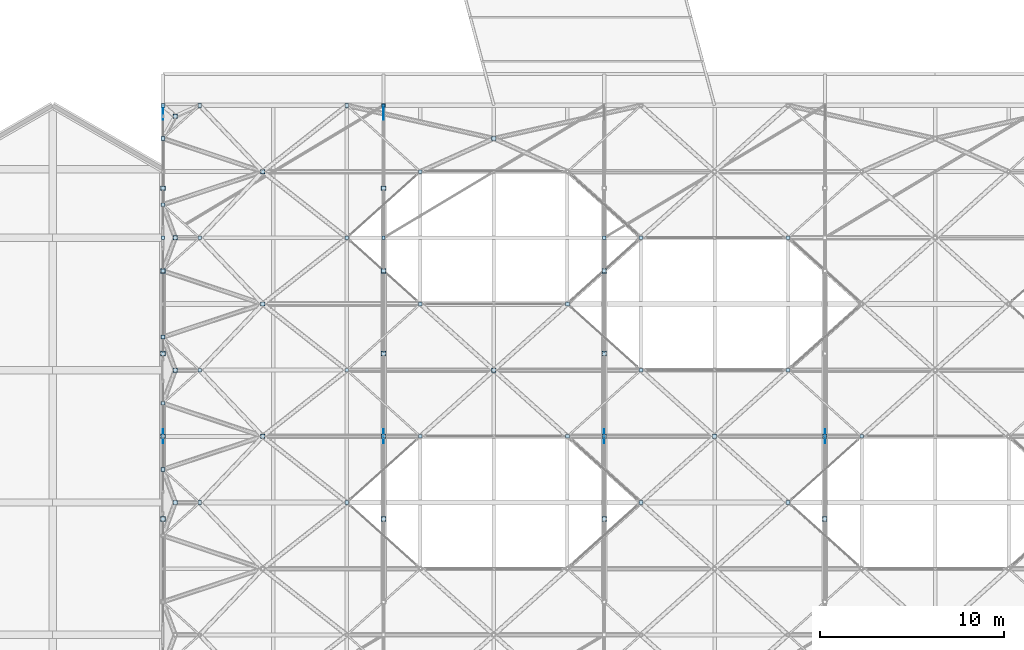
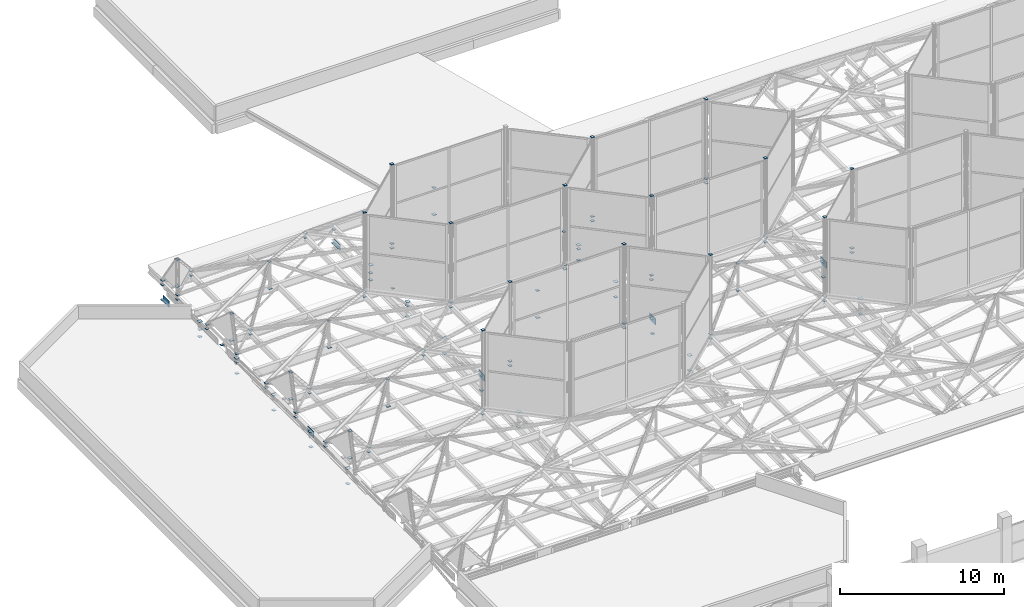
# One storey, part 221 of 239: 136 plates.
"""IFC4 building model written with IfcOpenShell, lengths in metres."""

from ifc_helpers import new_model, si_unit, direction, frame, origin, origin_2d, place, context, subcontext, project, spatial, rectangle, extrude, material, layer, layer_set, type_object, element, save


model = new_model("IFC4")

# Units and contexts
model_context = context("Model", 3, precision=1e-05, world=origin(), true_north=direction((0.0, 1.0)))
body_context = subcontext(model_context, "Body", "Model", "MODEL_VIEW")
ifc_project = project(units=[si_unit("LENGTHUNIT", "METRE"), si_unit("AREAUNIT", "SQUARE_METRE"), si_unit("VOLUMEUNIT", "CUBIC_METRE"), si_unit("PLANEANGLEUNIT", "RADIAN"), si_unit("MASSUNIT", "GRAM", prefix="KILO")], contexts=[model_context])

# Site, building, storey
site_placement = place(None, origin())
site = spatial("IfcSite", under=ifc_project, at=site_placement, CompositionType="ELEMENT")
building_placement = place(site_placement, origin())
building = spatial("IfcBuilding", under=site, at=building_placement, Name="Dunvalen Ferry Terminal", CompositionType="ELEMENT")
storey_placement = place(building_placement, frame((0.0, 0.0, 9.840087890625)))
storey = spatial("IfcBuildingStorey", under=building, at=storey_placement, Name="L02", CompositionType="ELEMENT", Elevation=9.840087890625)

# Plates
ifc_material = material(Name="Steel S355", Category="steel")
ifc_layer_1 = layer(ifc_material, 0.02001953125, Name="Steel S355")
ifc_layer_set_1 = layer_set([ifc_layer_1], Name="Steel S355")
plate_type_1 = type_object("IfcPlateType", Name="STR-PL-GUSSET-01", PredefinedType="USERDEFINED", material=ifc_layer_set_1)
for number, where, z_axis, x_axis, name in (
    (1, (12.0, 63.89990234375, 0.760009765625), (0.0, 0.0, 1.0), (1.0, 0.0, 0.0), "Departure Hall Spandrel Strut Cap Plate 01.3"),
    (2, (12.0, 68.39990234375, 0.760009765625), (0.0, 0.0, 1.0), (1.0, 0.0, 0.0), "Departure Hall Spandrel Strut Cap Plate 01.4"),
    (3, (12.0, 72.89990234375, 0.760009765625), (0.0, 0.0, 1.0), (1.0, 0.0, 0.0), "Departure Hall Spandrel Strut Cap Plate 01.5"),
    (4, (12.0, 77.39990234375, 0.760009765625), (0.0, 0.0, 1.0), (1.0, 0.0, 0.0), "Departure Hall Spandrel Strut Cap Plate 01.6"),
    (5, (12.0, 81.89990234375, 0.760009765625), (0.0, 0.0, 1.0), (1.0, 0.0, 0.0), "Departure Hall Spandrel Strut Cap Plate 01.7"),
    (6, (24.0, 63.89990234375, 0.760009765625), (0.0, 0.0, 1.0), (1.0, 0.0, 0.0), "Departure Hall Spandrel Strut Cap Plate 02.3"),
    (7, (24.0, 68.39990234375, 0.760009765625), (0.0, 0.0, 1.0), (1.0, 0.0, 0.0), "Departure Hall Spandrel Strut Cap Plate 02.4"),
    (8, (24.0, 72.89990234375, 0.760009765625), (0.0, 0.0, 1.0), (1.0, 0.0, 0.0), "Departure Hall Spandrel Strut Cap Plate 02.5"),
    (9, (24.0, 77.39990234375, 0.760009765625), (0.0, 0.0, 1.0), (1.0, 0.0, 0.0), "Departure Hall Spandrel Strut Cap Plate 02.6"),
    (10, (24.0, 81.89990234375, 0.760009765625), (0.0, 0.0, 1.0), (1.0, 0.0, 0.0), "Departure Hall Spandrel Strut Cap Plate 02.7"),
    (11, (36.0, 63.89990234375, 0.760009765625), (0.0, 0.0, 1.0), (1.0, 0.0, 0.0), "Departure Hall Spandrel Strut Cap Plate 03.3"),
    (12, (36.0, 68.39990234375, 0.760009765625), (0.0, 0.0, 1.0), (1.0, 0.0, 0.0), "Departure Hall Spandrel Strut Cap Plate 03.4"),
    (13, (36.0, 72.89990234375, 0.760009765625), (0.0, 0.0, 1.0), (1.0, 0.0, 0.0), "Departure Hall Spandrel Strut Cap Plate 03.5"),
    (14, (36.0, 77.39990234375, 0.760009765625), (0.0, 0.0, 1.0), (1.0, 0.0, 0.0), "Departure Hall Spandrel Strut Cap Plate 03.6"),
    (15, (48.0, 63.89990234375, 0.760009765625), (0.0, 0.0, 1.0), (1.0, 0.0, 0.0), "Departure Hall Spandrel Strut Cap Plate 04.3"),
    (16, (48.0, 68.39990234375, 0.760009765625), (0.0, 0.0, 1.0), (1.0, 0.0, 0.0), "Departure Hall Spandrel Strut Cap Plate 04.4"),
):
    element("IfcPlate", number, at=place(storey_placement, frame(where, z_axis=z_axis, x_axis=x_axis)), inside=storey, type_object=plate_type_1, Name=name, ObjectType="GUSSET PLATE", PredefinedType="USERDEFINED", context=body_context, shape_type="SweptSolid", body=[
        extrude(rectangle(XDim=0.260009765625, YDim=0.260009765625, at=origin_2d()), origin(), (0.0, 0.0, 1.0), 0.02001953125),
    ])
for number, where, z_axis, x_axis, name in (
    (17, (12.0, 79.199951171875, 0.64990234375), (0.0, 0.0, 1.0), (1.0, 0.0, 0.0), "Departure Hall Wind Brace End Cap Plate 1.79.1"),
    (18, (24.0, 86.39990234375, 0.64990234375), (0.0, 0.0, 1.0), (1.0, 0.0, 0.0), "Departure Hall Wind Brace End Cap Plate 1.79.2"),
    (19, (24.0, 79.199951171875, 0.64990234375), (0.0, 0.0, 1.0), (1.0, 0.0, 0.0), "Departure Hall Wind Brace End Cap Plate 2.79.1"),
    (20, (36.0, 79.199951171875, 0.64990234375), (0.0, 0.0, 1.0), (1.0, 0.0, 0.0), "Departure Hall Wind Brace End Cap Plate 3.79.1"),
):
    element("IfcPlate", number, at=place(storey_placement, frame(where, z_axis=z_axis, x_axis=x_axis)), inside=storey, type_object=plate_type_1, Name=name, ObjectType="GUSSET PLATE", PredefinedType="USERDEFINED", context=body_context, shape_type="SweptSolid", body=[
        extrude(rectangle(XDim=0.179931640625, YDim=0.179931640625, at=origin_2d()), origin(), (0.0, 0.0, 1.0), 0.02001953125),
    ])
for number, where, z_axis, x_axis, name in (
    (21, (12.666748046875, 64.800048828125, 0.760009765625), (0.0, 0.0, 1.0), (1.0, 0.0, 0.0), "HEX-03 Pyramid Apex Strut Base Cap Plate"),
    (22, (12.666748046875, 72.0, 0.760009765625), (0.0, 0.0, 1.0), (1.0, 0.0, 0.0), "HEX-04 Pyramid Apex Strut Base Cap Plate"),
    (23, (12.666748046875, 79.199951171875, 0.760009765625), (0.0, 0.0, 1.0), (1.0, 0.0, 0.0), "HEX-05 Pyramid Apex Strut Base Cap Plate"),
    (24, (12.666748046875, 85.800048828125, 0.760009765625), (0.0, 0.0, 1.0), (1.0, 0.0, 0.0), "HEX-06 Pyramid Apex Strut Base Cap Plate"),
    (25, (17.4287109375, 68.39990234375, 0.760009765625), (0.0, 0.0, 1.0), (1.0, 0.0, 0.0), "HEX-09 Pyramid Apex Strut Base Cap Plate"),
    (26, (17.4287109375, 75.60009765625, 0.760009765625), (0.0, 0.0, 1.0), (1.0, 0.0, 0.0), "HEX-10 Pyramid Apex Strut Base Cap Plate"),
    (27, (17.4287109375, 82.800048828125, 0.760009765625), (0.0, 0.0, 1.0), (1.0, 0.0, 0.0), "HEX-11 Pyramid Apex Strut Base Cap Plate"),
    (28, (30.0, 72.0, 0.760009765625), (0.0, 0.0, 1.0), (1.0, 0.0, 0.0), "HEX-15 Pyramid Apex Strut Base Cap Plate"),
    (29, (30.0, 84.60009765625, 0.760009765625), (0.0, 0.0, 1.0), (1.0, 0.0, 0.0), "HEX-17 Pyramid Apex Strut Base Cap Plate"),
    (30, (42.0, 68.39990234375, 0.760009765625), (0.0, 0.0, 1.0), (1.0, 0.0, 0.0), "HEX-20 Pyramid Apex Strut Base Cap Plate"),
):
    element("IfcPlate", number, at=place(storey_placement, frame(where, z_axis=z_axis, x_axis=x_axis)), inside=storey, type_object=plate_type_1, Name=name, ObjectType="GUSSET PLATE", PredefinedType="USERDEFINED", context=body_context, shape_type="SweptSolid", body=[
        extrude(rectangle(XDim=0.239990234375, YDim=0.239990234375, at=origin_2d()), origin(), (0.0, 0.0, 1.0), 0.02001953125),
    ])
for number, where, z_axis, x_axis, name in (
    (31, (12.0, 72.89990234375, -0.3701171875), (0.0, 0.0, 1.0), (1.0, 0.0, 0.0), "L02 Brace-Strut End Cleat Plate 007"),
    (32, (12.0, 77.39990234375, 0.46484375), (0.0, 0.0, 1.0), (1.0, 0.0, 0.0), "L02 Brace-Strut End Cleat Plate 009"),
    (33, (12.0, 81.89990234375, 0.15869140625), (0.0, 0.0, 1.0), (1.0, 0.0, 0.0), "L02 Brace-Strut End Cleat Plate 011"),
    (34, (12.0, 68.39990234375, -0.3701171875), (0.0, 0.0, 1.0), (1.0, 0.0, 0.0), "L02 Brace-Strut End Cleat Plate 013"),
    (35, (24.0, 63.89990234375, -0.3701171875), (0.0, 0.0, 1.0), (1.0, 0.0, 0.0), "L02 Brace-Strut End Cleat Plate 019"),
    (36, (24.0, 77.39990234375, -0.3701171875), (0.0, 0.0, 1.0), (1.0, 0.0, 0.0), "L02 Brace-Strut End Cleat Plate 021"),
    (37, (24.0, 81.89990234375, -0.3701171875), (0.0, 0.0, 1.0), (1.0, 0.0, 0.0), "L02 Brace-Strut End Cleat Plate 023"),
    (38, (24.0, 86.39990234375, -0.3701171875), (0.0, 0.0, 1.0), (1.0, 0.0, 0.0), "L02 Brace-Strut End Cleat Plate 025"),
    (39, (36.0, 72.89990234375, -0.3701171875), (0.0, 0.0, 1.0), (1.0, 0.0, 0.0), "L02 Brace-Strut End Cleat Plate 033"),
    (40, (36.0, 77.39990234375, 0.46484375), (0.0, 0.0, 1.0), (1.0, 0.0, 0.0), "L02 Brace-Strut End Cleat Plate 035"),
    (41, (36.0, 68.39990234375, -0.3701171875), (0.0, 0.0, 1.0), (1.0, 0.0, 0.0), "L02 Brace-Strut End Cleat Plate 039"),
    (42, (48.0, 63.89990234375, -0.3701171875), (0.0, 0.0, 1.0), (1.0, 0.0, 0.0), "L02 Brace-Strut End Cleat Plate 045"),
    (43, (12.666748046875, 64.800048828125, 2.7548828125), (0.0, 0.0, 1.0), (1.0, 0.0, 0.0), "L02 Brace-Strut End Cleat Plate 163"),
    (44, (14.0, 64.800048828125, 1.08984375), (0.0, 0.0, 1.0), (1.0, 0.0, 0.0), "L02 Brace-Strut End Cleat Plate 167"),
    (45, (12.0, 66.60009765625, 1.08984375), (0.0, 0.0, 1.0), (1.0, 0.0, 0.0), "L02 Brace-Strut End Cleat Plate 169"),
    (46, (12.0, 70.199951171875, 0.760009765625), (0.0, 0.0, 1.0), (1.0, 0.0, 0.0), "L02 Brace-Strut End Cleat Plate 171"),
    (47, (14.0, 72.0, 0.760009765625), (0.0, 0.0, 1.0), (1.0, 0.0, 0.0), "L02 Brace-Strut End Cleat Plate 173"),
    (48, (12.0, 73.800048828125, 0.760009765625), (0.0, 0.0, 1.0), (1.0, 0.0, 0.0), "L02 Brace-Strut End Cleat Plate 175"),
    (49, (12.666748046875, 79.199951171875, 2.7548828125), (0.0, 0.0, 1.0), (1.0, 0.0, 0.0), "L02 Brace-Strut End Cleat Plate 177"),
    (50, (14.0, 79.199951171875, 0.760009765625), (0.0, 0.0, 1.0), (1.0, 0.0, 0.0), "L02 Brace-Strut End Cleat Plate 179"),
    (51, (12.0, 81.0, 0.760009765625), (0.0, 0.0, 1.0), (1.0, 0.0, 0.0), "L02 Brace-Strut End Cleat Plate 181"),
    (52, (12.666748046875, 85.800048828125, 2.7548828125), (0.0, 0.0, 1.0), (1.0, 0.0, 0.0), "L02 Brace-Strut End Cleat Plate 183"),
    (53, (12.0, 86.39990234375, 1.08984375), (0.0, 0.0, 1.0), (1.0, 0.0, 0.0), "L02 Brace-Strut End Cleat Plate 185"),
    (54, (12.0, 84.60009765625, 1.08984375), (0.0, 0.0, 1.0), (1.0, 0.0, 0.0), "L02 Brace-Strut End Cleat Plate 187"),
    (55, (14.0, 86.39990234375, 1.08984375), (0.0, 0.0, 1.0), (1.0, 0.0, 0.0), "L02 Brace-Strut End Cleat Plate 189"),
    (56, (22.0, 64.800048828125, 1.08984375), (0.0, 0.0, 1.0), (1.0, 0.0, 0.0), "L02 Brace-Strut End Cleat Plate 201"),
    (57, (26.0, 68.39990234375, 0.760009765625), (0.0, 0.0, 1.0), (1.0, 0.0, 0.0), "L02 Brace-Strut End Cleat Plate 203"),
    (58, (22.0, 72.0, 0.760009765625), (0.0, 0.0, 1.0), (1.0, 0.0, 0.0), "L02 Brace-Strut End Cleat Plate 205"),
    (59, (17.4287109375, 75.60009765625, 2.7548828125), (0.0, 0.0, 1.0), (1.0, 0.0, 0.0), "L02 Brace-Strut End Cleat Plate 207"),
    (60, (26.0, 75.60009765625, 1.08984375), (0.0, 0.0, 1.0), (1.0, 0.0, 0.0), "L02 Brace-Strut End Cleat Plate 209"),
    (61, (22.0, 79.199951171875, 1.08984375), (0.0, 0.0, 1.0), (1.0, 0.0, 0.0), "L02 Brace-Strut End Cleat Plate 211"),
    (62, (26.0, 82.800048828125, 0.760009765625), (0.0, 0.0, 1.0), (1.0, 0.0, 0.0), "L02 Brace-Strut End Cleat Plate 213"),
    (63, (22.0, 86.39990234375, 0.760009765625), (0.0, 0.0, 1.0), (1.0, 0.0, 0.0), "L02 Brace-Strut End Cleat Plate 215"),
    (64, (22.0, 64.800048828125, 6.989990234375), (0.0, 0.0, 1.0), (1.0, 0.0, 0.0), "L02 Brace-Strut End Cleat Plate 227"),
    (65, (38.0, 64.800048828125, 6.989990234375), (0.0, 0.0, 1.0), (1.0, 0.0, 0.0), "L02 Brace-Strut End Cleat Plate 231"),
    (66, (34.0, 68.39990234375, 6.989990234375), (0.0, 0.0, 1.0), (1.0, 0.0, 0.0), "L02 Brace-Strut End Cleat Plate 233"),
    (67, (30.0, 72.0, 2.7548828125), (0.0, 0.0, 1.0), (1.0, 0.0, 0.0), "L02 Brace-Strut End Cleat Plate 235"),
    (68, (38.0, 72.0, 0.760009765625), (0.0, 0.0, 1.0), (1.0, 0.0, 0.0), "L02 Brace-Strut End Cleat Plate 237"),
    (69, (34.0, 75.60009765625, 0.760009765625), (0.0, 0.0, 1.0), (1.0, 0.0, 0.0), "L02 Brace-Strut End Cleat Plate 239"),
    (70, (22.0, 79.199951171875, 6.989990234375), (0.0, 0.0, 1.0), (1.0, 0.0, 0.0), "L02 Brace-Strut End Cleat Plate 241"),
    (71, (34.0, 75.60009765625, 6.989990234375), (0.0, 0.0, 1.0), (1.0, 0.0, 0.0), "L02 Brace-Strut End Cleat Plate 243"),
    (72, (38.0, 79.199951171875, 6.989990234375), (0.0, 0.0, 1.0), (1.0, 0.0, 0.0), "L02 Brace-Strut End Cleat Plate 245"),
    (73, (30.0, 84.60009765625, 2.7548828125), (0.0, 0.0, 1.0), (1.0, 0.0, 0.0), "L02 Brace-Strut End Cleat Plate 249"),
    (74, (46.0, 64.800048828125, 0.760009765625), (0.0, 0.0, 1.0), (1.0, 0.0, 0.0), "L02 Brace-Strut End Cleat Plate 263"),
    (75, (38.0, 64.800048828125, 1.08984375), (0.0, 0.0, 1.0), (1.0, 0.0, 0.0), "L02 Brace-Strut End Cleat Plate 265"),
    (76, (50.0, 68.39990234375, 0.760009765625), (0.0, 0.0, 1.0), (1.0, 0.0, 0.0), "L02 Brace-Strut End Cleat Plate 267"),
    (77, (46.0, 72.0, 0.760009765625), (0.0, 0.0, 1.0), (1.0, 0.0, 0.0), "L02 Brace-Strut End Cleat Plate 269"),
    (78, (38.0, 72.0, 6.989990234375), (0.0, 0.0, 1.0), (1.0, 0.0, 0.0), "L02 Brace-Strut End Cleat Plate 271"),
    (79, (46.0, 79.199951171875, 0.760009765625), (0.0, 0.0, 1.0), (1.0, 0.0, 0.0), "L02 Brace-Strut End Cleat Plate 275"),
    (80, (46.0, 79.199951171875, 1.08984375), (0.0, 0.0, 1.0), (1.0, 0.0, 0.0), "L02 Brace-Strut End Cleat Plate 279"),
    (81, (50.0, 68.39990234375, 6.989990234375), (0.0, 0.0, 1.0), (1.0, 0.0, 0.0), "L02 Brace-Strut End Cleat Plate 301"),
):
    element("IfcPlate", number, at=place(storey_placement, frame(where, z_axis=z_axis, x_axis=x_axis)), inside=storey, type_object=plate_type_1, Name=name, ObjectType="GUSSET PLATE", PredefinedType="USERDEFINED", context=body_context, shape_type="SweptSolid", body=[
        extrude(rectangle(XDim=0.199951171875, YDim=0.199951171875, at=origin_2d()), origin(), (0.0, 0.0, 1.0), 0.02001953125),
    ])
ifc_layer_2 = layer(ifc_material, 0.02587890625, Name="Steel S355")
ifc_layer_set_2 = layer_set([ifc_layer_2], Name="Steel S355")
plate_type_2 = type_object("IfcPlateType", Name="STR-PL-GUSSET-02", PredefinedType="USERDEFINED", material=ifc_layer_set_2)
for number, where, z_axis, x_axis, name in (
    (82, (12.0, 63.89990234375, -0.373046875), (0.0, 0.0, 1.0), (1.0, 0.0, 0.0), "L02 Brace-Strut End Cleat Plate 006"),
    (83, (12.0, 77.39990234375, -0.373046875), (0.0, 0.0, 1.0), (1.0, 0.0, 0.0), "L02 Brace-Strut End Cleat Plate 008"),
    (84, (12.0, 81.89990234375, -0.373046875), (0.0, 0.0, 1.0), (1.0, 0.0, 0.0), "L02 Brace-Strut End Cleat Plate 010"),
    (85, (12.0, 86.39990234375, -0.373046875), (0.0, 0.0, 1.0), (1.0, 0.0, 0.0), "L02 Brace-Strut End Cleat Plate 012"),
    (86, (24.0, 72.89990234375, -0.373046875), (0.0, 0.0, 1.0), (1.0, 0.0, 0.0), "L02 Brace-Strut End Cleat Plate 020"),
    (87, (24.0, 77.39990234375, 0.4619140625), (0.0, 0.0, 1.0), (1.0, 0.0, 0.0), "L02 Brace-Strut End Cleat Plate 022"),
    (88, (24.0, 81.89990234375, 0.15576171875), (0.0, 0.0, 1.0), (1.0, 0.0, 0.0), "L02 Brace-Strut End Cleat Plate 024"),
    (89, (24.0, 68.39990234375, -0.373046875), (0.0, 0.0, 1.0), (1.0, 0.0, 0.0), "L02 Brace-Strut End Cleat Plate 026"),
    (90, (36.0, 63.89990234375, -0.373046875), (0.0, 0.0, 1.0), (1.0, 0.0, 0.0), "L02 Brace-Strut End Cleat Plate 032"),
    (91, (36.0, 77.39990234375, -0.373046875), (0.0, 0.0, 1.0), (1.0, 0.0, 0.0), "L02 Brace-Strut End Cleat Plate 034"),
    (92, (48.0, 68.39990234375, -0.373046875), (0.0, 0.0, 1.0), (1.0, 0.0, 0.0), "L02 Brace-Strut End Cleat Plate 052"),
    (93, (14.0, 64.800048828125, 0.757080078125), (0.0, 0.0, 1.0), (1.0, 0.0, 0.0), "L02 Brace-Strut End Cleat Plate 166"),
    (94, (12.0, 66.60009765625, 0.757080078125), (0.0, 0.0, 1.0), (1.0, 0.0, 0.0), "L02 Brace-Strut End Cleat Plate 168"),
    (95, (12.666748046875, 72.0, 2.751953125), (0.0, 0.0, 1.0), (1.0, 0.0, 0.0), "L02 Brace-Strut End Cleat Plate 170"),
    (96, (12.0, 70.199951171875, 1.0869140625), (0.0, 0.0, 1.0), (1.0, 0.0, 0.0), "L02 Brace-Strut End Cleat Plate 172"),
    (97, (14.0, 72.0, 1.0869140625), (0.0, 0.0, 1.0), (1.0, 0.0, 0.0), "L02 Brace-Strut End Cleat Plate 174"),
    (98, (12.0, 73.800048828125, 1.0869140625), (0.0, 0.0, 1.0), (1.0, 0.0, 0.0), "L02 Brace-Strut End Cleat Plate 176"),
    (99, (12.0, 77.39990234375, 1.0869140625), (0.0, 0.0, 1.0), (1.0, 0.0, 0.0), "L02 Brace-Strut End Cleat Plate 178"),
    (100, (14.0, 79.199951171875, 1.0869140625), (0.0, 0.0, 1.0), (1.0, 0.0, 0.0), "L02 Brace-Strut End Cleat Plate 180"),
    (101, (12.0, 81.0, 1.0869140625), (0.0, 0.0, 1.0), (1.0, 0.0, 0.0), "L02 Brace-Strut End Cleat Plate 182"),
    (102, (12.0, 86.39990234375, 0.757080078125), (0.0, 0.0, 1.0), (1.0, 0.0, 0.0), "L02 Brace-Strut End Cleat Plate 184"),
    (103, (12.0, 84.60009765625, 0.757080078125), (0.0, 0.0, 1.0), (1.0, 0.0, 0.0), "L02 Brace-Strut End Cleat Plate 186"),
    (104, (14.0, 86.39990234375, 0.757080078125), (0.0, 0.0, 1.0), (1.0, 0.0, 0.0), "L02 Brace-Strut End Cleat Plate 188"),
    (105, (22.0, 64.800048828125, 0.757080078125), (0.0, 0.0, 1.0), (1.0, 0.0, 0.0), "L02 Brace-Strut End Cleat Plate 200"),
    (106, (17.4287109375, 68.39990234375, 2.751953125), (0.0, 0.0, 1.0), (1.0, 0.0, 0.0), "L02 Brace-Strut End Cleat Plate 202"),
    (107, (26.0, 68.39990234375, 1.0869140625), (0.0, 0.0, 1.0), (1.0, 0.0, 0.0), "L02 Brace-Strut End Cleat Plate 204"),
    (108, (22.0, 72.0, 1.0869140625), (0.0, 0.0, 1.0), (1.0, 0.0, 0.0), "L02 Brace-Strut End Cleat Plate 206"),
    (109, (26.0, 75.60009765625, 0.757080078125), (0.0, 0.0, 1.0), (1.0, 0.0, 0.0), "L02 Brace-Strut End Cleat Plate 208"),
    (110, (22.0, 79.199951171875, 0.757080078125), (0.0, 0.0, 1.0), (1.0, 0.0, 0.0), "L02 Brace-Strut End Cleat Plate 210"),
    (111, (17.4287109375, 82.800048828125, 2.751953125), (0.0, 0.0, 1.0), (1.0, 0.0, 0.0), "L02 Brace-Strut End Cleat Plate 212"),
    (112, (26.0, 82.800048828125, 1.0869140625), (0.0, 0.0, 1.0), (1.0, 0.0, 0.0), "L02 Brace-Strut End Cleat Plate 214"),
    (113, (22.0, 86.39990234375, 1.0869140625), (0.0, 0.0, 1.0), (1.0, 0.0, 0.0), "L02 Brace-Strut End Cleat Plate 216"),
    (114, (38.0, 64.800048828125, 0.757080078125), (0.0, 0.0, 1.0), (1.0, 0.0, 0.0), "L02 Brace-Strut End Cleat Plate 230"),
    (115, (34.0, 68.39990234375, 0.757080078125), (0.0, 0.0, 1.0), (1.0, 0.0, 0.0), "L02 Brace-Strut End Cleat Plate 232"),
    (116, (26.0, 68.39990234375, 6.987060546875), (0.0, 0.0, 1.0), (1.0, 0.0, 0.0), "L02 Brace-Strut End Cleat Plate 234"),
    (117, (34.0, 68.39990234375, 1.0869140625), (0.0, 0.0, 1.0), (1.0, 0.0, 0.0), "L02 Brace-Strut End Cleat Plate 236"),
    (118, (38.0, 72.0, 1.0869140625), (0.0, 0.0, 1.0), (1.0, 0.0, 0.0), "L02 Brace-Strut End Cleat Plate 238"),
    (119, (34.0, 75.60009765625, 1.0869140625), (0.0, 0.0, 1.0), (1.0, 0.0, 0.0), "L02 Brace-Strut End Cleat Plate 240"),
    (120, (26.0, 75.60009765625, 6.987060546875), (0.0, 0.0, 1.0), (1.0, 0.0, 0.0), "L02 Brace-Strut End Cleat Plate 242"),
    (121, (38.0, 79.199951171875, 0.757080078125), (0.0, 0.0, 1.0), (1.0, 0.0, 0.0), "L02 Brace-Strut End Cleat Plate 244"),
    (122, (26.0, 82.800048828125, 6.987060546875), (0.0, 0.0, 1.0), (1.0, 0.0, 0.0), "L02 Brace-Strut End Cleat Plate 248"),
    (123, (46.0, 64.800048828125, 1.0869140625), (0.0, 0.0, 1.0), (1.0, 0.0, 0.0), "L02 Brace-Strut End Cleat Plate 264"),
    (124, (42.0, 68.39990234375, 2.751953125), (0.0, 0.0, 1.0), (1.0, 0.0, 0.0), "L02 Brace-Strut End Cleat Plate 266"),
    (125, (50.0, 68.39990234375, 1.0869140625), (0.0, 0.0, 1.0), (1.0, 0.0, 0.0), "L02 Brace-Strut End Cleat Plate 268"),
    (126, (46.0, 72.0, 1.0869140625), (0.0, 0.0, 1.0), (1.0, 0.0, 0.0), "L02 Brace-Strut End Cleat Plate 270"),
    (127, (46.0, 72.0, 6.987060546875), (0.0, 0.0, 1.0), (1.0, 0.0, 0.0), "L02 Brace-Strut End Cleat Plate 272"),
    (128, (46.0, 79.199951171875, 6.987060546875), (0.0, 0.0, 1.0), (1.0, 0.0, 0.0), "L02 Brace-Strut End Cleat Plate 276"),
    (129, (38.0, 79.199951171875, 1.0869140625), (0.0, 0.0, 1.0), (1.0, 0.0, 0.0), "L02 Brace-Strut End Cleat Plate 278"),
    (130, (46.0, 64.800048828125, 6.987060546875), (0.0, 0.0, 1.0), (1.0, 0.0, 0.0), "L02 Brace-Strut End Cleat Plate 294"),
):
    element("IfcPlate", number, at=place(storey_placement, frame(where, z_axis=z_axis, x_axis=x_axis)), inside=storey, type_object=plate_type_2, Name=name, ObjectType="GUSSET PLATE", PredefinedType="USERDEFINED", context=body_context, shape_type="SweptSolid", body=[
        extrude(rectangle(XDim=0.199951171875, YDim=0.199951171875, at=origin_2d()), origin(), (0.0, 0.0, 1.0), 0.02587890625),
    ])
ifc_layer_3 = layer(ifc_material, 0.031982421875, Name="Steel S355")
ifc_layer_set_3 = layer_set([ifc_layer_3], Name="Steel S355")
plate_type_3 = type_object("IfcPlateType", Name="STR-PL-GUSSET-03", PredefinedType="USERDEFINED", material=ifc_layer_set_3)
for number, where, z_axis, x_axis, name in (
    (131, (12.0, 68.39990234375, 0.4951171875), (0.0, 0.0, 1.0), (1.0, 0.0, 0.0), "Departure Hall Arch Gusset Plate 01.2"),
    (132, (24.0, 68.39990234375, 0.4951171875), (0.0, 0.0, 1.0), (1.0, 0.0, 0.0), "Departure Hall Arch Gusset Plate 02.2"),
    (133, (36.0, 68.39990234375, 0.4951171875), (0.0, 0.0, 1.0), (1.0, 0.0, 0.0), "Departure Hall Arch Gusset Plate 03.2"),
    (134, (48.0, 68.39990234375, 0.4951171875), (0.0, 0.0, 1.0), (1.0, 0.0, 0.0), "Departure Hall Arch Gusset Plate 04.2"),
):
    element("IfcPlate", number, at=place(storey_placement, frame(where, z_axis=z_axis, x_axis=x_axis)), inside=storey, type_object=plate_type_3, Name=name, ObjectType="GUSSET PLATE", PredefinedType="USERDEFINED", context=body_context, shape_type="SweptSolid", body=[
        extrude(rectangle(XDim=0.031982421875, YDim=0.75, at=origin_2d()), origin(), (0.0, 0.0, 1.0), 0.449951171875),
    ])
ifc_layer_4 = layer(ifc_material, 0.0380859375, Name="Steel S355")
ifc_layer_set_4 = layer_set([ifc_layer_4], Name="Steel S355")
plate_type_4 = type_object("IfcPlateType", Name="STR-PL-GUSSET-04", PredefinedType="USERDEFINED", material=ifc_layer_set_4)
for number, where, z_axis, x_axis, name in (
    (135, (12.0, 86.0, -0.46484375), (0.0, 0.0, 1.0), (1.0, 0.0, 0.0), "Departure Hall Arch Gusset Plate 01.3"),
    (136, (24.0, 86.0, -0.46484375), (0.0, 0.0, 1.0), (1.0, 0.0, 0.0), "Departure Hall Arch Gusset Plate 02.3"),
):
    element("IfcPlate", number, at=place(storey_placement, frame(where, z_axis=z_axis, x_axis=x_axis)), inside=storey, type_object=plate_type_4, Name=name, ObjectType="GUSSET PLATE", PredefinedType="USERDEFINED", context=body_context, shape_type="SweptSolid", body=[
        extrude(rectangle(XDim=0.031982421875, YDim=0.75, at=origin_2d()), origin(), (0.0, 0.0, 1.0), 0.449951171875),
    ])

save(model, "model.ifc")
